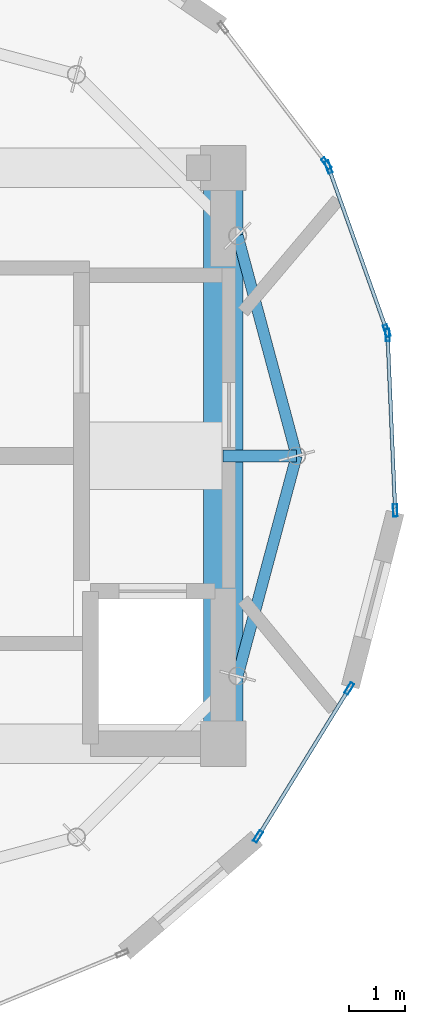
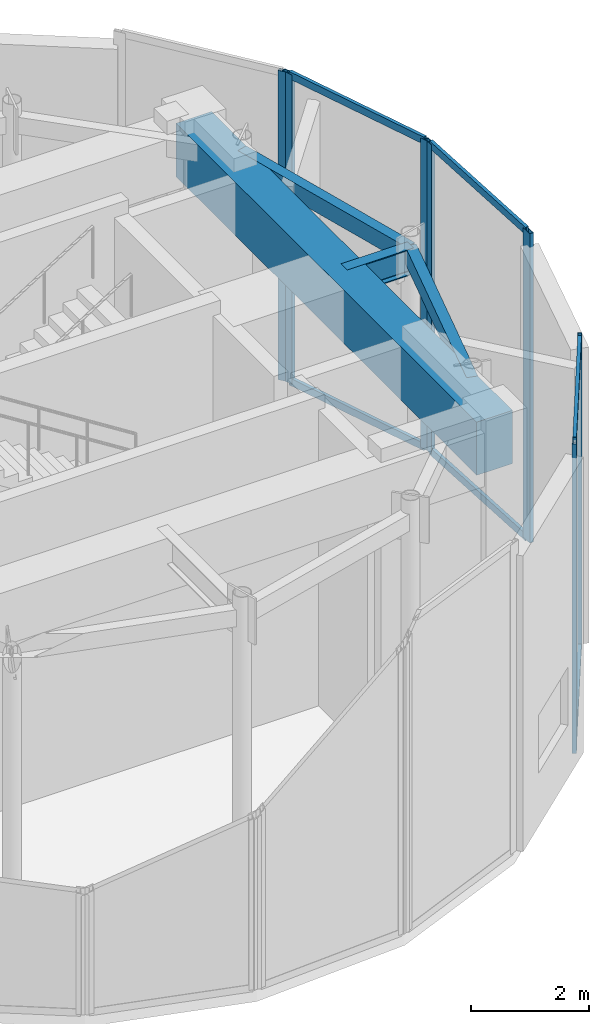
# One storey, part 4 of 8: 13 members, 4 beams, 4 elements without a shape of their own.
"""IFC4 building model written with IfcOpenShell, lengths in metres."""

from ifc_helpers import new_model, si_unit, direction, frame, origin, origin_2d, place, context, subcontext, project, spatial, rectangle, hollow_rectangle, i_section, extrude, source, transform, mapped, material, layer, layer_set, material_profile, profile_set, type_object, element, aggregate, save


model = new_model("IFC4")

# Units and contexts
model_context = context("Model", 3, precision=1e-05, world=origin(), true_north=direction((0.0, 1.0)))
body_context = subcontext(model_context, "Body", "Model", "MODEL_VIEW")
ifc_project = project(units=[si_unit("LENGTHUNIT", "METRE"), si_unit("AREAUNIT", "SQUARE_METRE"), si_unit("VOLUMEUNIT", "CUBIC_METRE"), si_unit("PLANEANGLEUNIT", "RADIAN"), si_unit("MASSUNIT", "GRAM", prefix="KILO")], contexts=[model_context])

# Site, building, storey
site_placement = place(None, origin())
site = spatial("IfcSite", under=ifc_project, at=site_placement, CompositionType="ELEMENT")
building_placement = place(site_placement, origin())
building = spatial("IfcBuilding", under=site, at=building_placement, Name="Solvirekh Grand Hotel", CompositionType="ELEMENT")
storey_placement = place(building_placement, frame((0.0, 0.0, 327.39990234375)))
storey = spatial("IfcBuildingStorey", under=building, at=storey_placement, Name="L82", CompositionType="ELEMENT", Elevation=327.39990234375)

# Beams
ifc_material_1 = material(Name="Concrete C60/75", Category="concrete")
ifc_material_profile_1 = material_profile(ifc_material_1, rectangle(XDim=0.699951171875, YDim=1.10009765625, at=origin_2d()), Name="RC BEAM 700X1100")
ifc_profile_set_1 = profile_set([ifc_material_profile_1], Name="Concrete C60/75")
beam_type_1 = type_object("IfcBeamType", Name="Beam_Core_RC1100", PredefinedType="BEAM", material=ifc_profile_set_1)
beam_1_placement = place(storey_placement, frame((6.5, -5.10009765625, 5.570068359375), z_axis=(0.0, 1.0, 0.0), x_axis=(-1.0, 0.0, 0.0)))
element("IfcBeam", 1, at=beam_1_placement, inside=storey, type_object=beam_type_1, Name="L82 core coupling ring beam 2", PredefinedType="BEAM", context=body_context, shape_type="SweptSolid", body=[
    extrude(rectangle(XDim=0.699951171875, YDim=1.10009765625, at=origin_2d()), origin(), (0.0, 0.0, 1.0), 10.2001953125),
])
ifc_material_2 = material(Name="Steel S355", Category="steel")
ifc_material_profile_2 = material_profile(ifc_material_2, i_section(OverallWidth=0.2119140625, OverallDepth=0.5439453125, WebThickness=0.011962890625, FlangeThickness=0.01904296875, FilletRadius=0.013916015625, at=origin_2d()), Name="W530X123")
ifc_profile_set_2 = profile_set([ifc_material_profile_2], Name="Steel S355")
beam_type_2 = type_object("IfcBeamType", Name="Beam_Radial_W530H", PredefinedType="BEAM", material=ifc_profile_set_2)
beam_2_placement = place(storey_placement, frame((6.5, 0.0, 5.84814453125), z_axis=(1.0, 0.0, 0.0), x_axis=(0.0, 1.0, 0.0)))
element("IfcBeam", 2, at=beam_2_placement, inside=storey, type_object=beam_type_2, Name="L82 radial floor beam R01", PredefinedType="BEAM", context=body_context, shape_type="SweptSolid", body=[
    extrude(i_section(OverallWidth=0.2119140625, OverallDepth=0.5439453125, WebThickness=0.011962890625, FlangeThickness=0.01904296875, FilletRadius=0.013916015625, at=origin_2d()), origin(), (0.0, 0.0, 1.0), 1.300048828125),
])
ifc_material_profile_3 = material_profile(ifc_material_2, hollow_rectangle(XDim=0.199951171875, YDim=0.35009765625, WallThickness=0.013916015625, at=origin_2d()), Name="RHS 350X200X14")
ifc_profile_set_3 = profile_set([ifc_material_profile_3], Name="Steel S355")
beam_type_3 = type_object("IfcBeamType", Name="Spandrel_Crown_RHS350", PredefinedType="SPANDREL", material=ifc_profile_set_3)
for number, where, z_axis, x_axis, name in (
    (3, (7.800048828125, 0.0, 5.945068359375), (-0.258863027773, 0.965914040095, 0.0), (-0.965914040095, -0.258863027773, 0.0), "L82 perimeter spandrel beam 1"),
    (4, (6.7548828125, -3.89990234375, 5.945068359375), (0.258863027773, 0.965914040095, 0.0), (-0.965914040095, 0.258863027773, 0.0), "L82 perimeter spandrel beam 12"),
):
    element("IfcBeam", number, at=place(storey_placement, frame(where, z_axis=z_axis, x_axis=x_axis)), inside=storey, type_object=beam_type_3, Name=name, PredefinedType="SPANDREL", context=body_context, shape_type="SweptSolid", body=[
        extrude(hollow_rectangle(XDim=0.199951171875, YDim=0.35009765625, WallThickness=0.013916015625, at=origin_2d()), origin(), (0.0, 0.0, 1.0), 4.03759765625),
    ])

# Curtain wall, members
ifc_material_3 = material(Name="Anodized Bronze Aluminium 6063-T6", Category="aluminium")
ifc_layer = layer(ifc_material_3, 0.219970703125)
ifc_layer_set = layer_set([ifc_layer], Name="Anodized Bronze Aluminium 6063-T6")
curtain_wall_type = type_object("IfcCurtainWallType", Name="CW_Sys6_CrownFacetedPointCW", PredefinedType="NOTDEFINED", material=ifc_layer_set)
curtain_wall_1_placement = place(storey_placement, origin())
curtain_wall_1 = element("IfcCurtainWall", 5, at=curtain_wall_1_placement, inside=storey, type_object=curtain_wall_type, Name="L82 unitised bronze-glass curtain wall CW-L82-C04", PredefinedType="NOTDEFINED")
ifc_material_profile_4 = material_profile(ifc_material_3, hollow_rectangle(XDim=0.074951171875, YDim=0.219970703125, WallThickness=0.006103515625, at=origin_2d()), Name="ALU RHS 220X75X6")
ifc_profile_set_4 = profile_set([ifc_material_profile_4], Name="Anodized Bronze Aluminium 6063-T6")
member_type_1 = type_object("IfcMemberType", Name="CWMullion_Sys6", PredefinedType="MULLION", material=ifc_profile_set_4)
shared_shape_1 = source(origin(), body_context, "Body", "SweptSolid", [
    extrude(hollow_rectangle(XDim=0.074951171875, YDim=0.219970703125, WallThickness=0.006103515625, at=origin_2d()), origin(), (0.0, 0.0, 1.0), 6.400146484375),
])
member_1_placement = place(storey_placement, frame((7.11669921875, -6.7421875, 0.0), z_axis=(0.0, 0.0, 1.0), x_axis=(-0.851418700119, 0.524486603344, 0.0)))
member_1 = element("IfcMember", 6, at=member_1_placement, type_object=member_type_1, Name="U06 mullion 1", PredefinedType="MULLION", context=body_context, shape_type="MappedRepresentation", body=[
    mapped(shared_shape_1, transform((0.0, 0.0, 0.0), x_axis=(1.0, 0.0, 0.0), y_axis=(0.0, 1.0, 0.0), z_axis=(0.0, 0.0, 1.0), scale=1.0)),
])
member_2_placement = place(storey_placement, frame((8.7314453125, -4.120849609375, 0.0), z_axis=(0.0, 0.0, 1.0), x_axis=(-0.851418700119, 0.524486603344, 0.0)))
member_2 = element("IfcMember", 7, at=member_2_placement, type_object=member_type_1, Name="U06 mullion 2", PredefinedType="MULLION", context=body_context, shape_type="MappedRepresentation", body=[
    mapped(shared_shape_1, transform((0.0, 0.0, 0.0), x_axis=(1.0, 0.0, 0.0), y_axis=(0.0, 1.0, 0.0), z_axis=(0.0, 0.0, 1.0), scale=1.0)),
])

curtain_wall_2_placement = place(storey_placement, origin())
curtain_wall_2 = element("IfcCurtainWall", 8, at=curtain_wall_2_placement, inside=storey, type_object=curtain_wall_type, Name="L82 unitised bronze-glass curtain wall CW-L82-C06", PredefinedType="NOTDEFINED")
member_3_placement = place(storey_placement, frame((9.54541015625, -0.965576171875, 0.0), z_axis=(0.0, 0.0, 1.0), x_axis=(-0.999075014421, -0.0430013437, 0.0)))
member_3 = element("IfcMember", 9, at=member_3_placement, type_object=member_type_1, Name="U06 mullion 1", PredefinedType="MULLION", context=body_context, shape_type="MappedRepresentation", body=[
    mapped(shared_shape_1, transform((0.0, 0.0, 0.0), x_axis=(1.0, 0.0, 0.0), y_axis=(0.0, 1.0, 0.0), z_axis=(0.0, 0.0, 1.0), scale=1.0)),
])
member_4_placement = place(storey_placement, frame((9.41162109375, 2.142578125, 0.0), z_axis=(0.0, 0.0, 1.0), x_axis=(-0.999075014421, -0.0430013437, 0.0)))
member_4 = element("IfcMember", 10, at=member_4_placement, type_object=member_type_1, Name="U06 mullion 2", PredefinedType="MULLION", context=body_context, shape_type="MappedRepresentation", body=[
    mapped(shared_shape_1, transform((0.0, 0.0, 0.0), x_axis=(1.0, 0.0, 0.0), y_axis=(0.0, 1.0, 0.0), z_axis=(0.0, 0.0, 1.0), scale=1.0)),
])

curtain_wall_3_placement = place(storey_placement, origin())
curtain_wall_3 = element("IfcCurtainWall", 11, at=curtain_wall_3_placement, inside=storey, type_object=curtain_wall_type, Name="L82 unitised bronze-glass curtain wall CW-L82-C07", PredefinedType="NOTDEFINED")
member_5_placement = place(storey_placement, frame((9.3974609375, 2.21533203125, 0.0), z_axis=(0.0, 0.0, 1.0), x_axis=(-0.941949749429, -0.335753882406, 0.0)))
member_5 = element("IfcMember", 12, at=member_5_placement, type_object=member_type_1, Name="U06 mullion 1", PredefinedType="MULLION", context=body_context, shape_type="MappedRepresentation", body=[
    mapped(shared_shape_1, transform((0.0, 0.0, 0.0), x_axis=(1.0, 0.0, 0.0), y_axis=(0.0, 1.0, 0.0), z_axis=(0.0, 0.0, 1.0), scale=1.0)),
])
member_6_placement = place(storey_placement, frame((8.363525390625, 5.11572265625, 0.0), z_axis=(0.0, 0.0, 1.0), x_axis=(-0.941949749429, -0.335753882406, 0.0)))
member_6 = element("IfcMember", 13, at=member_6_placement, type_object=member_type_1, Name="U06 mullion 2", PredefinedType="MULLION", context=body_context, shape_type="MappedRepresentation", body=[
    mapped(shared_shape_1, transform((0.0, 0.0, 0.0), x_axis=(1.0, 0.0, 0.0), y_axis=(0.0, 1.0, 0.0), z_axis=(0.0, 0.0, 1.0), scale=1.0)),
])

# Curtain wall, member
curtain_wall_4_placement = place(storey_placement, origin())
curtain_wall_4 = element("IfcCurtainWall", 14, at=curtain_wall_4_placement, inside=storey, type_object=curtain_wall_type, Name="L82 unitised bronze-glass curtain wall CW-L82-C08", PredefinedType="NOTDEFINED")
member_7_placement = place(storey_placement, frame((8.328369140625, 5.180908203125, 0.0), z_axis=(0.0, 0.0, 1.0), x_axis=(-0.795720510876, -0.605663989825, 0.0)))
member_7 = element("IfcMember", 15, at=member_7_placement, type_object=member_type_1, Name="U06 mullion 1", PredefinedType="MULLION", context=body_context, shape_type="MappedRepresentation", body=[
    mapped(shared_shape_1, transform((0.0, 0.0, 0.0), x_axis=(1.0, 0.0, 0.0), y_axis=(0.0, 1.0, 0.0), z_axis=(0.0, 0.0, 1.0), scale=1.0)),
])
aggregate(curtain_wall_4, [member_7])

# Member
ifc_material_profile_5 = material_profile(ifc_material_3, hollow_rectangle(XDim=0.06494140625, YDim=0.14990234375, WallThickness=0.0048828125, at=origin_2d()), Name="ALU RHS 150X65X5")
ifc_profile_set_5 = profile_set([ifc_material_profile_5], Name="Anodized Bronze Aluminium 6063-T6")
member_type_2 = type_object("IfcMemberType", Name="CWTransom_Sys6", PredefinedType="USERDEFINED", material=ifc_profile_set_5)
shared_shape_2 = source(origin(), body_context, "Body", "SweptSolid", [
    extrude(hollow_rectangle(XDim=0.06494140625, YDim=0.14990234375, WallThickness=0.0048828125, at=origin_2d()), origin(), (0.0, 0.0, 1.0), 3.003662109375),
])
member_8_placement = place(storey_placement, frame((7.13623046875, -6.710205078125, 0.03271484375), z_axis=(0.524500976956, 0.851409845593, 0.0), x_axis=(-0.851409845593, 0.524500976956, 0.0)))
member_8 = element("IfcMember", 16, at=member_8_placement, type_object=member_type_2, Name="U06 transom 1.1", ObjectType="TRANSOM", PredefinedType="USERDEFINED", context=body_context, shape_type="MappedRepresentation", body=[
    mapped(shared_shape_2, transform((0.0, 0.0, 0.0), x_axis=(1.0, 0.0, 0.0), y_axis=(0.0, 1.0, 0.0), z_axis=(0.0, 0.0, 1.0), scale=1.0)),
])

member_9_placement = place(storey_placement, frame((7.13623046875, -6.710205078125, 6.36767578125), z_axis=(0.524500976956, 0.851409845593, 0.0), x_axis=(-0.851409845593, 0.524500976956, 0.0)))
member_9 = element("IfcMember", 17, at=member_9_placement, type_object=member_type_2, Name="U06 transom 1.2", ObjectType="TRANSOM", PredefinedType="USERDEFINED", context=body_context, shape_type="MappedRepresentation", body=[
    mapped(shared_shape_2, transform((0.0, 0.0, 0.0), x_axis=(1.0, 0.0, 0.0), y_axis=(0.0, 1.0, 0.0), z_axis=(0.0, 0.0, 1.0), scale=1.0)),
])

aggregate(curtain_wall_1, [member_1, member_2, member_8, member_9])

shared_shape_3 = source(origin(), body_context, "Body", "SweptSolid", [
    extrude(hollow_rectangle(XDim=0.06494140625, YDim=0.14990234375, WallThickness=0.0048828125, at=origin_2d()), origin(), (0.0, 0.0, 1.0), 3.03564453125),
])
member_10_placement = place(storey_placement, frame((9.543701171875, -0.927978515625, 0.03271484375), z_axis=(-0.04294512991, 0.999077432343, 0.0), x_axis=(-0.999077432343, -0.04294512991, 0.0)))
member_10 = element("IfcMember", 18, at=member_10_placement, type_object=member_type_2, Name="U06 transom 1.1", ObjectType="TRANSOM", PredefinedType="USERDEFINED", context=body_context, shape_type="MappedRepresentation", body=[
    mapped(shared_shape_3, transform((0.0, 0.0, 0.0), x_axis=(1.0, 0.0, 0.0), y_axis=(0.0, 1.0, 0.0), z_axis=(0.0, 0.0, 1.0), scale=1.0)),
])

member_11_placement = place(storey_placement, frame((9.543701171875, -0.927978515625, 6.36767578125), z_axis=(-0.04294512991, 0.999077432343, 0.0), x_axis=(-0.999077432343, -0.04294512991, 0.0)))
member_11 = element("IfcMember", 19, at=member_11_placement, type_object=member_type_2, Name="U06 transom 1.2", ObjectType="TRANSOM", PredefinedType="USERDEFINED", context=body_context, shape_type="MappedRepresentation", body=[
    mapped(shared_shape_3, transform((0.0, 0.0, 0.0), x_axis=(1.0, 0.0, 0.0), y_axis=(0.0, 1.0, 0.0), z_axis=(0.0, 0.0, 1.0), scale=1.0)),
])

aggregate(curtain_wall_2, [member_3, member_4, member_10, member_11])

shared_shape_4 = source(origin(), body_context, "Body", "SweptSolid", [
    extrude(hollow_rectangle(XDim=0.06494140625, YDim=0.14990234375, WallThickness=0.0048828125, at=origin_2d()), origin(), (0.0, 0.0, 1.0), 3.00390625),
])
member_12_placement = place(storey_placement, frame((9.384765625, 2.250732421875, 0.03271484375), z_axis=(-0.335739100927, 0.941955018092, 0.0), x_axis=(-0.941955018092, -0.335739100927, 0.0)))
member_12 = element("IfcMember", 20, at=member_12_placement, type_object=member_type_2, Name="U06 transom 1.1", ObjectType="TRANSOM", PredefinedType="USERDEFINED", context=body_context, shape_type="MappedRepresentation", body=[
    mapped(shared_shape_4, transform((0.0, 0.0, 0.0), x_axis=(1.0, 0.0, 0.0), y_axis=(0.0, 1.0, 0.0), z_axis=(0.0, 0.0, 1.0), scale=1.0)),
])

member_13_placement = place(storey_placement, frame((9.384765625, 2.250732421875, 6.36767578125), z_axis=(-0.335739100927, 0.941955018092, 0.0), x_axis=(-0.941955018092, -0.335739100927, 0.0)))
member_13 = element("IfcMember", 21, at=member_13_placement, type_object=member_type_2, Name="U06 transom 1.2", ObjectType="TRANSOM", PredefinedType="USERDEFINED", context=body_context, shape_type="MappedRepresentation", body=[
    mapped(shared_shape_4, transform((0.0, 0.0, 0.0), x_axis=(1.0, 0.0, 0.0), y_axis=(0.0, 1.0, 0.0), z_axis=(0.0, 0.0, 1.0), scale=1.0)),
])

aggregate(curtain_wall_3, [member_5, member_6, member_12, member_13])

save(model, "model.ifc")
